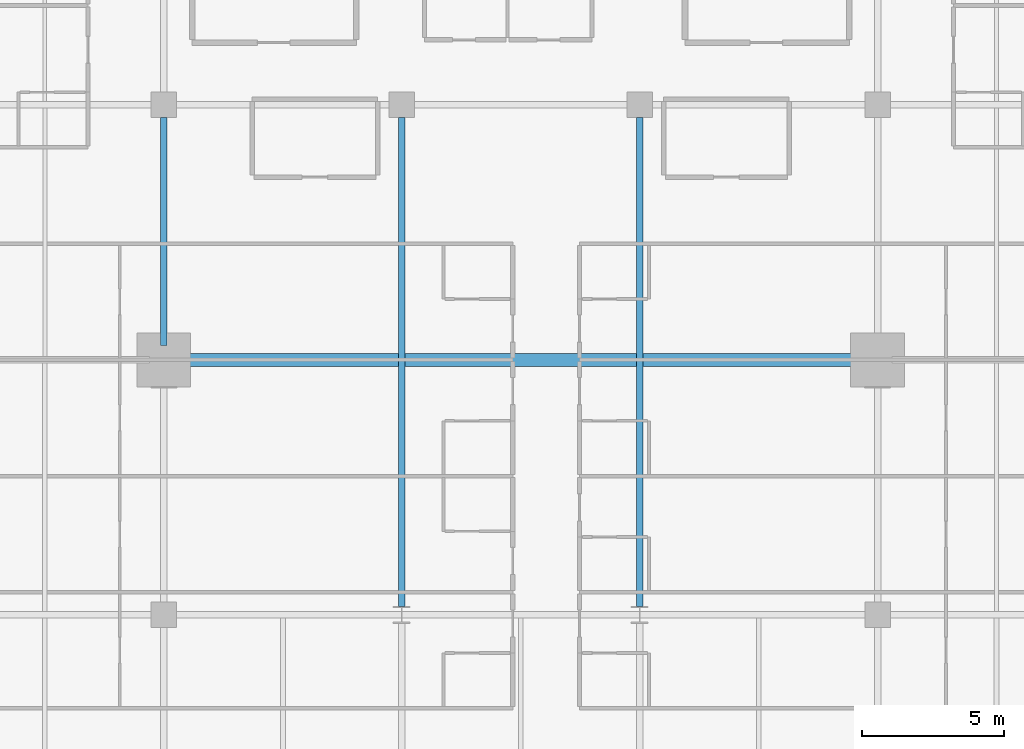
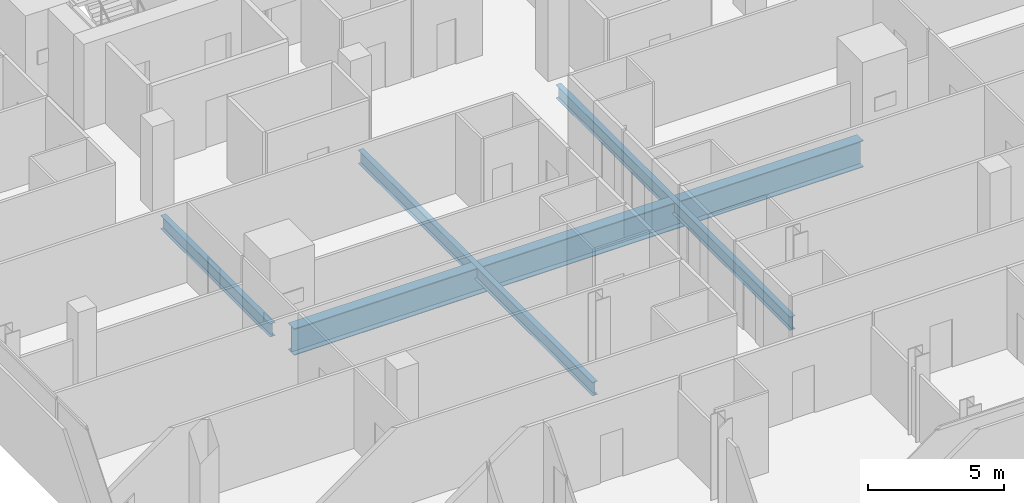
# One storey, part 11 of 34: 4 beams.
"""IFC4 building model written with IfcOpenShell, lengths in metres."""

from ifc_helpers import new_model, si_unit, direction, frame, origin, origin_2d, place, context, subcontext, project, spatial, i_section, extrude, material, material_profile, profile_set, type_object, element, save


model = new_model("IFC4")

# Units and contexts
model_context = context("Model", 3, precision=1e-05, world=origin(), true_north=direction((0.0, 1.0)))
body_context = subcontext(model_context, "Body", "Model", "MODEL_VIEW")
ifc_project = project(units=[si_unit("LENGTHUNIT", "METRE"), si_unit("AREAUNIT", "SQUARE_METRE"), si_unit("VOLUMEUNIT", "CUBIC_METRE"), si_unit("PLANEANGLEUNIT", "RADIAN"), si_unit("MASSUNIT", "GRAM", prefix="KILO")], contexts=[model_context])

# Site, building, storey
site_placement = place(None, origin())
site = spatial("IfcSite", under=ifc_project, at=site_placement, CompositionType="ELEMENT")
building_placement = place(site_placement, origin())
building = spatial("IfcBuilding", under=site, at=building_placement, Name="Maruvema Waterfront Hotel and Observation Tower", CompositionType="ELEMENT")
storey_placement = place(building_placement, frame((0.0, 0.0, 181.300048828125)))
storey = spatial("IfcBuildingStorey", under=building, at=storey_placement, Name="L44", CompositionType="ELEMENT", Elevation=181.300048828125)

# Beams
ifc_material_1 = material(Name="Steel ASTM A572 Grade 50", Category="steel")
ifc_material_profile_1 = material_profile(ifc_material_1, i_section(OverallWidth=0.22802734375, OverallDepth=0.60302734375, WebThickness=0.010498046875, FlangeThickness=0.014892578125, FilletRadius=0.01806640625, at=origin_2d()), Name="W610x101.0")
ifc_profile_set_1 = profile_set([ifc_material_profile_1], Name="Steel ASTM A572 Grade 50")
beam_type_1 = type_object("IfcBeamType", Name="Primary Floor Girder W610x101.0", PredefinedType="BEAM", material=ifc_profile_set_1)
beam_1_placement = place(storey_placement, frame((25.199951171875, 27.5, -0.54150390625), z_axis=(0.0, 1.0, 0.0), x_axis=(-1.0, 0.0, 0.0)))
element("IfcBeam", 1, at=beam_1_placement, inside=storey, type_object=beam_type_1, Name="L44 Floor Girder NS-12", PredefinedType="BEAM", context=body_context, shape_type="SweptSolid", body=[
    extrude(i_section(OverallWidth=0.22802734375, OverallDepth=0.60302734375, WebThickness=0.010498046875, FlangeThickness=0.014892578125, FilletRadius=0.01806640625, at=origin_2d()), origin(), (0.0, 0.0, 1.0), 8.050048828125),
])
for number, where, z_axis, x_axis, name in (
    (2, (33.60009765625, 18.300048828125, -0.54150390625), (0.0, 1.0, 0.0), (-1.0, 0.0, 0.0), "L44 Floor Girder NS-16"),
    (3, (42.0, 18.300048828125, -0.54150390625), (0.0, 1.0, 0.0), (-1.0, 0.0, 0.0), "L44 Floor Girder NS-19"),
):
    element("IfcBeam", number, at=place(storey_placement, frame(where, z_axis=z_axis, x_axis=x_axis)), inside=storey, type_object=beam_type_1, Name=name, PredefinedType="BEAM", context=body_context, shape_type="SweptSolid", body=[
        extrude(i_section(OverallWidth=0.22802734375, OverallDepth=0.60302734375, WebThickness=0.010498046875, FlangeThickness=0.014892578125, FilletRadius=0.01806640625, at=origin_2d()), origin(), (0.0, 0.0, 1.0), 17.25),
    ])
ifc_material_2 = material(Name="Steel ABNT NBR 7007 AR 415 (ASTM A572 Grade 50)", Category="steel")
ifc_material_profile_2 = material_profile(ifc_material_2, i_section(OverallWidth=0.449951171875, OverallDepth=1.199951171875, WebThickness=0.01904296875, FlangeThickness=0.031982421875, at=origin_2d()), Name="VS1200x366")
ifc_profile_set_2 = profile_set([ifc_material_profile_2], Name="Steel ABNT NBR 7007 AR 415 (ASTM A572 Grade 50)")
beam_type_2 = type_object("IfcBeamType", Name="Upper Setback Transfer Girder VS1200x366", PredefinedType="USERDEFINED", material=ifc_profile_set_2)
beam_2_placement = place(storey_placement, frame((25.699951171875, 27.0, -0.840087890625), z_axis=(1.0, 0.0, 0.0), x_axis=(0.0, 1.0, 0.0)))
element("IfcBeam", 4, at=beam_2_placement, inside=storey, type_object=beam_type_2, Name="L44 Floor Girder EW-20", ObjectType="TRANSFER GIRDER", PredefinedType="USERDEFINED", context=body_context, shape_type="SweptSolid", body=[
    extrude(i_section(OverallWidth=0.449951171875, OverallDepth=1.199951171875, WebThickness=0.01904296875, FlangeThickness=0.031982421875, at=origin_2d()), origin(), (0.0, 0.0, 1.0), 24.199951171875),
])

save(model, "model.ifc")
